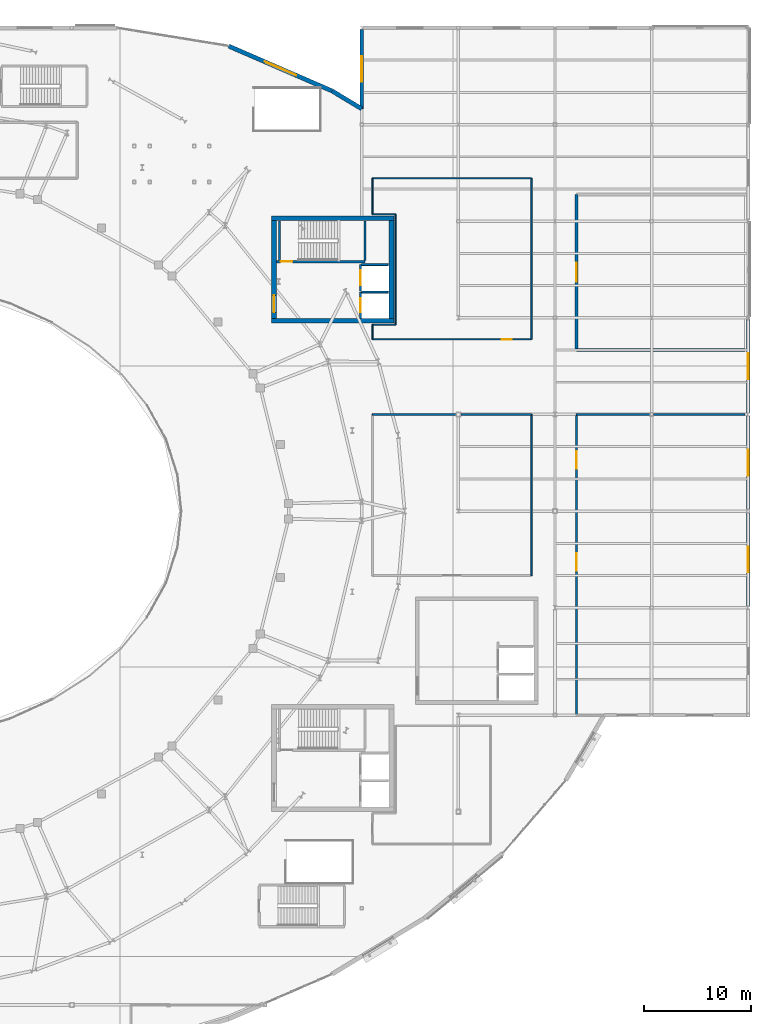
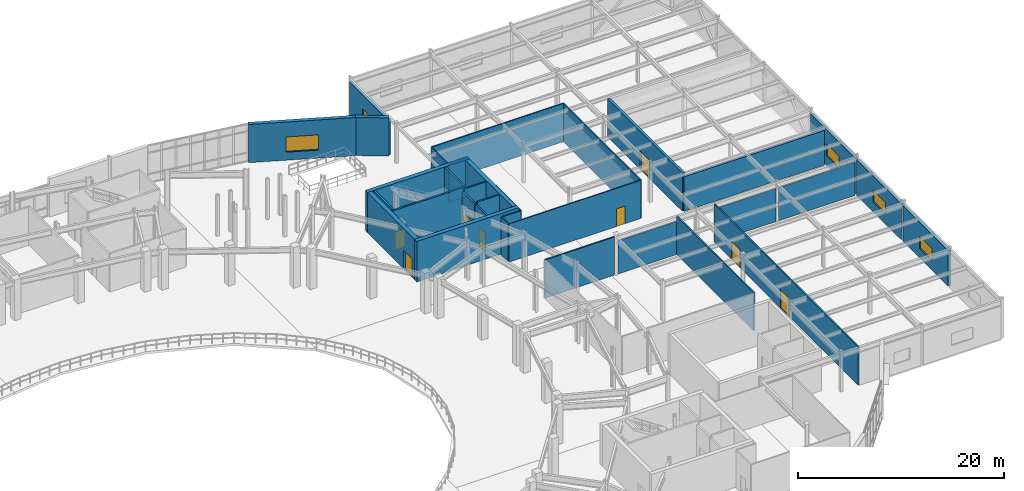
# One storey, part 66 of 86: 33 walls, 8 doors, 5 windows, 13 openings.
"""IFC4 building model written with IfcOpenShell, lengths in metres."""

from ifc_helpers import new_model, si_unit, direction, frame, frame_2d, origin, place, context, subcontext, project, spatial, rectangle, extrude, material, layer, layer_set, type_object, element, fill, save


model = new_model("IFC4")

# Units and contexts
model_context = context("Model", 3, precision=1e-05, world=origin(), true_north=direction((0.0, 1.0)))
body_context = subcontext(model_context, "Body", "Model", "MODEL_VIEW")
ifc_project = project(units=[si_unit("LENGTHUNIT", "METRE"), si_unit("AREAUNIT", "SQUARE_METRE"), si_unit("VOLUMEUNIT", "CUBIC_METRE"), si_unit("PLANEANGLEUNIT", "RADIAN"), si_unit("MASSUNIT", "GRAM", prefix="KILO")], contexts=[model_context])

# Site, building, storey
site_placement = place(None, origin())
site = spatial("IfcSite", under=ifc_project, at=site_placement, CompositionType="ELEMENT")
building_placement = place(site_placement, origin())
building = spatial("IfcBuilding", under=site, at=building_placement, Name="Glasvene Arena", CompositionType="ELEMENT")
storey_placement = place(building_placement, frame((0.0, 0.0, 5.39990234375)))
storey = spatial("IfcBuildingStorey", under=building, at=storey_placement, Name="L01", CompositionType="ELEMENT", Elevation=5.39990234375)

# Walls
ifc_material_1 = material(Name="Concrete C40/50", Category="concrete")
ifc_layer_1 = layer(ifc_material_1, 0.449951171875)
ifc_layer_set_1 = layer_set([ifc_layer_1], Name="Concrete C40/50")
wall_type_1 = type_object("IfcWallType", Name="WL-CORE-450", PredefinedType="SHEAR", material=ifc_layer_set_1)
for number, where, z_axis, x_axis, name in (
    (1, (129.60009765625, 90.72509765625, 0.0), (0.0, 0.0, 1.0), (1.0, 0.0, 0.0), "Core C2 North-East shear wall S L01"),
    (2, (129.60009765625, 100.27490234375, 0.0), (0.0, 0.0, 1.0), (1.0, 0.0, 0.0), "Core C2 North-East shear wall N L01"),
):
    element("IfcWall", number, at=place(storey_placement, frame(where, z_axis=z_axis, x_axis=x_axis)), inside=storey, type_object=wall_type_1, Name=name, PredefinedType="SHEAR", context=body_context, shape_type="SweptSolid", body=[
        extrude(rectangle(XDim=11.39990234375, YDim=0.449951171875, at=frame_2d((5.699951171875, 0.0))), origin(), (0.0, 0.0, 1.0), 4.800048828125),
    ])

# Wall, opening, door
wall_1_placement = place(storey_placement, frame((129.824951171875, 90.949951171875, 0.0), z_axis=(0.0, 0.0, 1.0), x_axis=(0.0, 1.0, 0.0)))
wall_1 = element("IfcWall", 3, at=wall_1_placement, inside=storey, type_object=wall_type_1, Name="Core C2 North-East shear wall W L01", PredefinedType="SHEAR", context=body_context, shape_type="SweptSolid", body=[
    extrude(rectangle(XDim=9.10009765625, YDim=0.449951171875, at=frame_2d((4.550048828125, 0.0))), origin(), (0.0, 0.0, 1.0), 4.800048828125),
])
opening_1_placement = place(wall_1_placement, frame((0.550048828125, 0.0, 0.0)))
opening_1 = element("IfcOpeningElement", 4, at=opening_1_placement, cuts=wall_1, Name="Opening D-02", PredefinedType="OPENING", context=body_context, shape_type="SweptSolid", body=[
    extrude(rectangle(XDim=1.60009765625, YDim=2.199951171875, at=frame_2d((0.800048828125, 1.10009765625))), frame((0.0, 0.23486328125, 0.0), z_axis=(0.0, -1.0, 0.0), x_axis=(1.0, 0.0, 0.0)), (0.0, 0.0, 1.0), 0.469970703125),
])
ifc_material_2 = material(Name="Painted fire-resisting steel", Category="steel")
door_type_1 = type_object("IfcDoorType", Name="DR-FD60-1600", OperationType="DOUBLE_DOOR_SINGLE_SWING", PredefinedType="DOOR", material=ifc_material_2)
door_1_placement = place(opening_1_placement, frame((1.60009765625, 0.0, 0.0), z_axis=(0.0, 0.0, 1.0), x_axis=(-1.0, 0.0, 0.0)))
door_1 = element("IfcDoor", 5, at=door_1_placement, inside=storey, type_object=door_type_1, Name="Core firefighting lobby concourse door C2-L01", OperationType="DOUBLE_DOOR_SINGLE_SWING", OverallHeight=2.199951171875, OverallWidth=1.60009765625, PredefinedType="DOOR", context=body_context, shape_type="SweptSolid", body=[
    extrude(rectangle(XDim=1.60009765625, YDim=2.199951171875, at=frame_2d((0.800048828125, 1.10009765625))), frame((0.0, 0.02490234375, 0.0), z_axis=(0.0, -1.0, 0.0), x_axis=(1.0, 0.0, 0.0)), (0.0, 0.0, 1.0), 0.050048828125),
])
fill(opening_1, door_1)

# Wall
wall_2_placement = place(storey_placement, frame((140.77490234375, 90.949951171875, 0.0), z_axis=(0.0, 0.0, 1.0), x_axis=(0.0, 1.0, 0.0)))
element("IfcWall", 6, at=wall_2_placement, inside=storey, type_object=wall_type_1, Name="Core C2 North-East shear wall E L01", PredefinedType="SHEAR", context=body_context, shape_type="SweptSolid", body=[
    extrude(rectangle(XDim=9.10009765625, YDim=0.449951171875, at=frame_2d((4.550048828125, 0.0))), origin(), (0.0, 0.0, 1.0), 4.800048828125),
])

# Wall, opening, window
ifc_material_3 = material(Name="Coursed pale Irish limestone", Category="masonry")
ifc_layer_2 = layer(ifc_material_3, 0.39990234375)
ifc_layer_set_2 = layer_set([ifc_layer_2], Name="Coursed pale Irish limestone")
wall_type_2 = type_object("IfcWallType", Name="WL-EXT-LIM-400", PredefinedType="STANDARD", material=ifc_layer_set_2)
wall_3_placement = place(storey_placement, frame((125.619140625, 116.3076171875, 0.0), z_axis=(0.0, 0.0, 1.0), x_axis=(0.917436013805, -0.397883350461, 0.0)))
wall_3 = element("IfcWall", 7, at=wall_3_placement, inside=storey, type_object=wall_type_2, Name="External facade wall EW-L01-0077", PredefinedType="STANDARD", context=body_context, shape_type="SweptSolid", body=[
    extrude(rectangle(XDim=10.478515625, YDim=0.39990234375, at=frame_2d((5.2392578125, 0.0))), origin(), (0.0, 0.0, 1.0), 4.52001953125),
])
opening_2_placement = place(wall_3_placement, frame((3.638916015625, 0.0, 0.949951171875)))
opening_2 = element("IfcOpeningElement", 8, at=opening_2_placement, cuts=wall_3, Name="Opening W-03", PredefinedType="OPENING", context=body_context, shape_type="SweptSolid", body=[
    extrude(rectangle(XDim=3.199951171875, YDim=1.800048828125, at=frame_2d((1.60009765625, 0.89990234375))), frame((0.0, 0.2099609375, 0.0), z_axis=(0.0, -1.0, 0.0), x_axis=(1.0, 0.0, 0.0)), (0.0, 0.0, 1.0), 0.419921875),
])
ifc_material_4 = material(Name="Low-emissivity laminated double glazing", Category="glass")
window_type_1 = type_object("IfcWindowType", Name="WN-CONC-320x180", PartitioningType="TRIPLE_PANEL_VERTICAL", PredefinedType="WINDOW", material=ifc_material_4)
window_1_placement = place(opening_2_placement, origin())
window_1 = element("IfcWindow", 9, at=window_1_placement, inside=storey, type_object=window_type_1, Name="Facade window WN-CONC-320x180 L01-0029", OverallHeight=1.800048828125, OverallWidth=3.199951171875, PartitioningType="SINGLE_PANEL", PredefinedType="WINDOW", context=body_context, shape_type="SweptSolid", body=[
    extrude(rectangle(XDim=3.199951171875, YDim=1.800048828125, at=frame_2d((1.60009765625, 0.89990234375))), frame((0.0, 0.030029296875, 0.0), z_axis=(0.0, -1.0, 0.0), x_axis=(1.0, 0.0, 0.0)), (0.0, 0.0, 1.0), 0.06005859375),
])
fill(opening_2, window_1)

# Wall
wall_4_placement = place(storey_placement, frame((135.232421875, 112.138427734375, 0.0), z_axis=(0.0, 0.0, 1.0), x_axis=(0.855809711202, -0.517290767569, 0.0)))
element("IfcWall", 10, at=wall_4_placement, inside=storey, type_object=wall_type_2, Name="External facade wall EW-L01-0078", PredefinedType="STANDARD", context=body_context, shape_type="SweptSolid", body=[
    extrude(rectangle(XDim=3.23388671875, YDim=0.39990234375, at=frame_2d((1.616943359375, 0.0))), origin(), (0.0, 0.0, 1.0), 4.52001953125),
])

# Wall, opening, window
ifc_material_5 = material(Name="Precast concrete C50/60", Category="concrete")
ifc_layer_3 = layer(ifc_material_5, 0.320068359375)
ifc_layer_set_3 = layer_set([ifc_layer_3], Name="Precast concrete C50/60")
wall_type_3 = type_object("IfcWallType", Name="WL-EXT-PRC-320", PredefinedType="STANDARD", material=ifc_layer_set_3)
wall_5_placement = place(storey_placement, frame((138.0, 110.465576171875, 0.0), z_axis=(0.0, 0.0, 1.0), x_axis=(0.0, 1.0, 0.0)))
wall_5 = element("IfcWall", 11, at=wall_5_placement, inside=storey, type_object=wall_type_3, Name="External facade wall EW-L01-0079", PredefinedType="STANDARD", context=body_context, shape_type="SweptSolid", body=[
    extrude(rectangle(XDim=7.40234375, YDim=0.320068359375, at=frame_2d((3.701171875, 0.0))), origin(), (0.0, 0.0, 1.0), 4.215087890625),
])
opening_3_placement = place(wall_5_placement, frame((2.5009765625, 0.0, 1.14990234375)))
opening_3 = element("IfcOpeningElement", 12, at=opening_3_placement, cuts=wall_5, Name="Opening W-18", PredefinedType="OPENING", context=body_context, shape_type="SweptSolid", body=[
    extrude(rectangle(XDim=2.39990234375, YDim=1.39990234375, at=frame_2d((1.199951171875, 0.699951171875))), frame((0.0, 0.169921875, 0.0), z_axis=(0.0, -1.0, 0.0), x_axis=(1.0, 0.0, 0.0)), (0.0, 0.0, 1.0), 0.340087890625),
])
window_type_2 = type_object("IfcWindowType", Name="WN-LOUV-240x140", PartitioningType="DOUBLE_PANEL_HORIZONTAL", PredefinedType="WINDOW", material=ifc_material_4)
window_2_placement = place(opening_3_placement, origin())
window_2 = element("IfcWindow", 13, at=window_2_placement, inside=storey, type_object=window_type_2, Name="Facade window WN-LOUV-240x140 L01-0030", OverallHeight=1.39990234375, OverallWidth=2.39990234375, PartitioningType="SINGLE_PANEL", PredefinedType="WINDOW", context=body_context, shape_type="SweptSolid", body=[
    extrude(rectangle(XDim=2.39990234375, YDim=1.39990234375, at=frame_2d((1.199951171875, 0.699951171875))), frame((0.0, 0.030029296875, 0.0), z_axis=(0.0, -1.0, 0.0), x_axis=(1.0, 0.0, 0.0)), (0.0, 0.0, 1.0), 0.06005859375),
])
fill(opening_3, window_2)

wall_6_placement = place(storey_placement, frame((174.0, 90.847900390625, 0.0), z_axis=(0.0, 0.0, 1.0), x_axis=(0.0, -1.0, 0.0)))
wall_6 = element("IfcWall", 14, at=wall_6_placement, inside=storey, type_object=wall_type_3, Name="External facade wall EW-L01-0084", PredefinedType="STANDARD", context=body_context, shape_type="SweptSolid", body=[
    extrude(rectangle(XDim=8.7158203125, YDim=0.320068359375, at=frame_2d((4.35791015625, 0.0))), origin(), (0.0, 0.0, 1.0), 4.215087890625),
])
opening_4_placement = place(wall_6_placement, frame((3.157958984375, 0.0, 1.14990234375)))
opening_4 = element("IfcOpeningElement", 15, at=opening_4_placement, cuts=wall_6, Name="Opening W-18", PredefinedType="OPENING", context=body_context, shape_type="SweptSolid", body=[
    extrude(rectangle(XDim=2.39990234375, YDim=1.39990234375, at=frame_2d((1.199951171875, 0.699951171875))), frame((0.0, 0.169921875, 0.0), z_axis=(0.0, -1.0, 0.0), x_axis=(1.0, 0.0, 0.0)), (0.0, 0.0, 1.0), 0.340087890625),
])
window_3_placement = place(opening_4_placement, origin())
window_3 = element("IfcWindow", 16, at=window_3_placement, inside=storey, type_object=window_type_2, Name="Facade window WN-LOUV-240x140 L01-0035", OverallHeight=1.39990234375, OverallWidth=2.39990234375, PartitioningType="SINGLE_PANEL", PredefinedType="WINDOW", context=body_context, shape_type="SweptSolid", body=[
    extrude(rectangle(XDim=2.39990234375, YDim=1.39990234375, at=frame_2d((1.199951171875, 0.699951171875))), frame((0.0, 0.030029296875, 0.0), z_axis=(0.0, -1.0, 0.0), x_axis=(1.0, 0.0, 0.0)), (0.0, 0.0, 1.0), 0.06005859375),
])
fill(opening_4, window_3)

wall_7_placement = place(storey_placement, frame((174.0, 81.867919921875, 0.0), z_axis=(0.0, 0.0, 1.0), x_axis=(0.0, -1.0, 0.0)))
wall_7 = element("IfcWall", 17, at=wall_7_placement, inside=storey, type_object=wall_type_3, Name="External facade wall EW-L01-0085", PredefinedType="STANDARD", context=body_context, shape_type="SweptSolid", body=[
    extrude(rectangle(XDim=8.7158203125, YDim=0.320068359375, at=frame_2d((4.35791015625, 0.0))), origin(), (0.0, 0.0, 1.0), 4.215087890625),
])
opening_5_placement = place(wall_7_placement, frame((3.157958984375, 0.0, 1.14990234375)))
opening_5 = element("IfcOpeningElement", 18, at=opening_5_placement, cuts=wall_7, Name="Opening W-18", PredefinedType="OPENING", context=body_context, shape_type="SweptSolid", body=[
    extrude(rectangle(XDim=2.39990234375, YDim=1.39990234375, at=frame_2d((1.199951171875, 0.699951171875))), frame((0.0, 0.169921875, 0.0), z_axis=(0.0, -1.0, 0.0), x_axis=(1.0, 0.0, 0.0)), (0.0, 0.0, 1.0), 0.340087890625),
])
window_4_placement = place(opening_5_placement, origin())
window_4 = element("IfcWindow", 19, at=window_4_placement, inside=storey, type_object=window_type_2, Name="Facade window WN-LOUV-240x140 L01-0036", OverallHeight=1.39990234375, OverallWidth=2.39990234375, PartitioningType="SINGLE_PANEL", PredefinedType="WINDOW", context=body_context, shape_type="SweptSolid", body=[
    extrude(rectangle(XDim=2.39990234375, YDim=1.39990234375, at=frame_2d((1.199951171875, 0.699951171875))), frame((0.0, 0.030029296875, 0.0), z_axis=(0.0, -1.0, 0.0), x_axis=(1.0, 0.0, 0.0)), (0.0, 0.0, 1.0), 0.06005859375),
])
fill(opening_5, window_4)

wall_8_placement = place(storey_placement, frame((174.0, 72.847900390625, 0.0), z_axis=(0.0, 0.0, 1.0), x_axis=(0.0, -1.0, 0.0)))
wall_8 = element("IfcWall", 20, at=wall_8_placement, inside=storey, type_object=wall_type_3, Name="External facade wall EW-L01-0086", PredefinedType="STANDARD", context=body_context, shape_type="SweptSolid", body=[
    extrude(rectangle(XDim=8.7158203125, YDim=0.320068359375, at=frame_2d((4.35791015625, 0.0))), origin(), (0.0, 0.0, 1.0), 4.215087890625),
])
opening_6_placement = place(wall_8_placement, frame((3.157958984375, 0.0, 1.14990234375)))
opening_6 = element("IfcOpeningElement", 21, at=opening_6_placement, cuts=wall_8, Name="Opening W-18", PredefinedType="OPENING", context=body_context, shape_type="SweptSolid", body=[
    extrude(rectangle(XDim=2.39990234375, YDim=1.39990234375, at=frame_2d((1.199951171875, 0.699951171875))), frame((0.0, 0.169921875, 0.0), z_axis=(0.0, -1.0, 0.0), x_axis=(1.0, 0.0, 0.0)), (0.0, 0.0, 1.0), 0.340087890625),
])
window_5_placement = place(opening_6_placement, origin())
window_5 = element("IfcWindow", 22, at=window_5_placement, inside=storey, type_object=window_type_2, Name="Facade window WN-LOUV-240x140 L01-0037", OverallHeight=1.39990234375, OverallWidth=2.39990234375, PartitioningType="SINGLE_PANEL", PredefinedType="WINDOW", context=body_context, shape_type="SweptSolid", body=[
    extrude(rectangle(XDim=2.39990234375, YDim=1.39990234375, at=frame_2d((1.199951171875, 0.699951171875))), frame((0.0, 0.030029296875, 0.0), z_axis=(0.0, -1.0, 0.0), x_axis=(1.0, 0.0, 0.0)), (0.0, 0.0, 1.0), 0.06005859375),
])
fill(opening_6, window_5)

# Walls
ifc_material_6 = material(Name="Lightweight gypsum metal-stud partition")
ifc_layer_4 = layer(ifc_material_6, 0.1201171875)
ifc_layer_set_4 = layer_set([ifc_layer_4], Name="Lightweight gypsum metal-stud partition")
wall_type_4 = type_object("IfcWallType", Name="WL-PART-120", PredefinedType="PARTITIONING", material=ifc_layer_set_4)
wall_9_placement = place(storey_placement, frame((139.0, 100.64990234375, 0.0), z_axis=(0.0, 0.0, 1.0), x_axis=(0.0, 1.0, 0.0)))
element("IfcWall", 23, at=wall_9_placement, inside=storey, type_object=wall_type_4, Name="Interior partition wall IW-L01-0187 (Touring Production Offices)", PredefinedType="PARTITIONING", context=body_context, shape_type="SweptSolid", body=[
    extrude(rectangle(XDim=3.35009765625, YDim=0.1201171875, at=frame_2d((1.675048828125, 0.0))), origin(), (0.0, 0.0, 1.0), 4.52001953125),
])
wall_10_placement = place(storey_placement, frame((139.0, 104.0, 0.0), z_axis=(0.0, 0.0, 1.0), x_axis=(1.0, 0.0, 0.0)))
element("IfcWall", 24, at=wall_10_placement, inside=storey, type_object=wall_type_4, Name="Interior partition wall IW-L01-0188 (Touring Production Offices)", PredefinedType="PARTITIONING", context=body_context, shape_type="SweptSolid", body=[
    extrude(rectangle(XDim=14.800048828125, YDim=0.1201171875, at=frame_2d((7.39990234375, 0.0))), origin(), (0.0, 0.0, 1.0), 4.52001953125),
])
wall_11_placement = place(storey_placement, frame((153.800048828125, 104.0, 0.0), z_axis=(0.0, 0.0, 1.0), x_axis=(0.0, -1.0, 0.0)))
element("IfcWall", 25, at=wall_11_placement, inside=storey, type_object=wall_type_4, Name="Interior partition wall IW-L01-0189 (Touring Production Offices)", PredefinedType="PARTITIONING", context=body_context, shape_type="SweptSolid", body=[
    extrude(rectangle(XDim=15.0, YDim=0.1201171875, at=frame_2d((7.5, 0.0))), origin(), (0.0, 0.0, 1.0), 4.52001953125),
])

# Wall, opening, door
wall_12_placement = place(storey_placement, frame((153.800048828125, 89.0, 0.0), z_axis=(0.0, 0.0, 1.0), x_axis=(-1.0, 0.0, 0.0)))
wall_12 = element("IfcWall", 26, at=wall_12_placement, inside=storey, type_object=wall_type_4, Name="Interior partition wall IW-L01-0190 (Touring Production Offices)", PredefinedType="PARTITIONING", context=body_context, shape_type="SweptSolid", body=[
    extrude(rectangle(XDim=14.800048828125, YDim=0.1201171875, at=frame_2d((7.39990234375, 0.0))), origin(), (0.0, 0.0, 1.0), 4.52001953125),
])
opening_7_placement = place(wall_12_placement, frame((1.81005859375, 0.0, 0.0)))
opening_7 = element("IfcOpeningElement", 27, at=opening_7_placement, cuts=wall_12, Name="Opening D-07", PredefinedType="OPENING", context=body_context, shape_type="SweptSolid", body=[
    extrude(rectangle(XDim=0.949951171875, YDim=2.10009765625, at=frame_2d((0.47509765625, 1.050048828125))), frame((0.0, 0.070068359375, 0.0), z_axis=(0.0, -1.0, 0.0), x_axis=(1.0, 0.0, 0.0)), (0.0, 0.0, 1.0), 0.14013671875),
])
ifc_material_7 = material(Name="European oak fire-resisting timber", Category="wood")
door_type_2 = type_object("IfcDoorType", Name="DR-FD30-950", OperationType="NOTDEFINED", PredefinedType="DOOR", material=ifc_material_7)
door_2_placement = place(opening_7_placement, origin())
door_2 = element("IfcDoor", 28, at=door_2_placement, inside=storey, type_object=door_type_2, Name="Interior door DR-FD30-950 (Touring Production Offices)", OperationType="SINGLE_SWING_LEFT", OverallHeight=2.10009765625, OverallWidth=0.949951171875, PredefinedType="DOOR", context=body_context, shape_type="SweptSolid", body=[
    extrude(rectangle(XDim=0.949951171875, YDim=2.10009765625, at=frame_2d((0.47509765625, 1.050048828125))), frame((0.0, 0.02490234375, 0.0), z_axis=(0.0, -1.0, 0.0), x_axis=(1.0, 0.0, 0.0)), (0.0, 0.0, 1.0), 0.050048828125),
])
fill(opening_7, door_2)

# Walls
wall_13_placement = place(storey_placement, frame((139.0, 89.0, 0.0), z_axis=(0.0, 0.0, 1.0), x_axis=(0.0, 1.0, 0.0)))
element("IfcWall", 29, at=wall_13_placement, inside=storey, type_object=wall_type_4, Name="Interior partition wall IW-L01-0191 (Touring Production Offices)", PredefinedType="PARTITIONING", context=body_context, shape_type="SweptSolid", body=[
    extrude(rectangle(XDim=1.35009765625, YDim=0.1201171875, at=frame_2d((0.675048828125, 0.0))), origin(), (0.0, 0.0, 1.0), 4.52001953125),
])
wall_14_placement = place(storey_placement, frame((139.0, 90.35009765625, 0.0), z_axis=(0.0, 0.0, 1.0), x_axis=(1.0, 0.0, 0.0)))
element("IfcWall", 30, at=wall_14_placement, inside=storey, type_object=wall_type_4, Name="Interior partition wall IW-L01-0192 (Touring Production Offices)", PredefinedType="PARTITIONING", context=body_context, shape_type="SweptSolid", body=[
    extrude(rectangle(XDim=2.14990234375, YDim=0.1201171875, at=frame_2d((1.074951171875, 0.0))), origin(), (0.0, 0.0, 1.0), 4.52001953125),
])
wall_15_placement = place(storey_placement, frame((141.14990234375, 90.35009765625, 0.0), z_axis=(0.0, 0.0, 1.0), x_axis=(0.0, 1.0, 0.0)))
element("IfcWall", 31, at=wall_15_placement, inside=storey, type_object=wall_type_4, Name="Interior partition wall IW-L01-0193 (Touring Production Offices)", PredefinedType="PARTITIONING", context=body_context, shape_type="SweptSolid", body=[
    extrude(rectangle(XDim=10.2998046875, YDim=0.1201171875, at=frame_2d((5.14990234375, 0.0))), origin(), (0.0, 0.0, 1.0), 4.52001953125),
])
wall_16_placement = place(storey_placement, frame((141.14990234375, 100.64990234375, 0.0), z_axis=(0.0, 0.0, 1.0), x_axis=(-1.0, 0.0, 0.0)))
element("IfcWall", 32, at=wall_16_placement, inside=storey, type_object=wall_type_4, Name="Interior partition wall IW-L01-0194 (Touring Production Offices)", PredefinedType="PARTITIONING", context=body_context, shape_type="SweptSolid", body=[
    extrude(rectangle(XDim=2.14990234375, YDim=0.1201171875, at=frame_2d((1.074951171875, 0.0))), origin(), (0.0, 0.0, 1.0), 4.52001953125),
])
ifc_material_8 = material(Name="Insulated acoustic metal-stud partition")
ifc_layer_5 = layer(ifc_material_8, 0.14990234375)
ifc_layer_set_5 = layer_set([ifc_layer_5], Name="Insulated acoustic metal-stud partition")
wall_type_5 = type_object("IfcWallType", Name="WL-PART-150", PredefinedType="PARTITIONING", material=ifc_layer_set_5)
wall_17_placement = place(storey_placement, frame((139.0, 82.0, 0.0), z_axis=(0.0, 0.0, 1.0), x_axis=(1.0, 0.0, 0.0)))
element("IfcWall", 33, at=wall_17_placement, inside=storey, type_object=wall_type_5, Name="Interior partition wall IW-L01-0182 (Event Catering Central Kitchen)", PredefinedType="PARTITIONING", context=body_context, shape_type="SweptSolid", body=[
    extrude(rectangle(XDim=7.767578125, YDim=0.14990234375, at=frame_2d((3.8837890625, 0.0))), origin(), (0.0, 0.0, 1.0), 4.52001953125),
])
wall_18_placement = place(storey_placement, frame((147.232421875, 82.0, 0.0), z_axis=(0.0, 0.0, 1.0), x_axis=(1.0, 0.0, 0.0)))
element("IfcWall", 34, at=wall_18_placement, inside=storey, type_object=wall_type_5, Name="Interior partition wall IW-L01-0183 (Event Catering Central Kitchen)", PredefinedType="PARTITIONING", context=body_context, shape_type="SweptSolid", body=[
    extrude(rectangle(XDim=6.567626953125, YDim=0.14990234375, at=frame_2d((3.28369140625, 0.0))), origin(), (0.0, 0.0, 1.0), 3.907470703125),
])
wall_19_placement = place(storey_placement, frame((153.800048828125, 82.0, 0.0), z_axis=(0.0, 0.0, 1.0), x_axis=(0.0, -1.0, 0.0)))
element("IfcWall", 35, at=wall_19_placement, inside=storey, type_object=wall_type_5, Name="Interior partition wall IW-L01-0184 (Event Catering Central Kitchen)", PredefinedType="PARTITIONING", context=body_context, shape_type="SweptSolid", body=[
    extrude(rectangle(XDim=15.0, YDim=0.14990234375, at=frame_2d((7.5, 0.0))), origin(), (0.0, 0.0, 1.0), 4.52001953125),
])

# Wall, openings, doors
wall_20_placement = place(storey_placement, frame((158.0, 54.0, 0.0), z_axis=(0.0, 0.0, 1.0), x_axis=(0.0, 1.0, 0.0)))
wall_20 = element("IfcWall", 36, at=wall_20_placement, inside=storey, type_object=wall_type_5, Name="Interior partition wall IW-L01-0196 (Lighting and Audio Rigging Store)", PredefinedType="PARTITIONING", context=body_context, shape_type="SweptSolid", body=[
    extrude(rectangle(XDim=28.0, YDim=0.14990234375, at=frame_2d((14.0, 0.0))), origin(), (0.0, 0.0, 1.0), 4.52001953125),
])
opening_8_placement = place(wall_20_placement, frame((22.949951171875, 0.0, 0.0)))
opening_8 = element("IfcOpeningElement", 37, at=opening_8_placement, cuts=wall_20, Name="Opening D-02", PredefinedType="OPENING", context=body_context, shape_type="SweptSolid", body=[
    extrude(rectangle(XDim=1.60009765625, YDim=2.199951171875, at=frame_2d((0.800048828125, 1.10009765625))), frame((0.0, 0.0849609375, 0.0), z_axis=(0.0, -1.0, 0.0), x_axis=(1.0, 0.0, 0.0)), (0.0, 0.0, 1.0), 0.169921875),
])
opening_9_placement = place(wall_20_placement, frame((13.449951171875, 0.0, 0.0)))
opening_9 = element("IfcOpeningElement", 38, at=opening_9_placement, cuts=wall_20, Name="Opening D-02", PredefinedType="OPENING", context=body_context, shape_type="SweptSolid", body=[
    extrude(rectangle(XDim=1.60009765625, YDim=2.199951171875, at=frame_2d((0.800048828125, 1.10009765625))), frame((0.0, 0.0849609375, 0.0), z_axis=(0.0, -1.0, 0.0), x_axis=(1.0, 0.0, 0.0)), (0.0, 0.0, 1.0), 0.169921875),
])
door_3_placement = place(opening_8_placement, origin())
door_3 = element("IfcDoor", 39, at=door_3_placement, inside=storey, type_object=door_type_1, Name="Interior door DR-FD60-1600 (Lighting and Audio Rigging Store)", OperationType="DOUBLE_DOOR_SINGLE_SWING", OverallHeight=2.199951171875, OverallWidth=1.60009765625, PredefinedType="DOOR", context=body_context, shape_type="SweptSolid", body=[
    extrude(rectangle(XDim=1.60009765625, YDim=2.199951171875, at=frame_2d((0.800048828125, 1.10009765625))), frame((0.0, 0.02490234375, 0.0), z_axis=(0.0, -1.0, 0.0), x_axis=(1.0, 0.0, 0.0)), (0.0, 0.0, 1.0), 0.050048828125),
])
fill(opening_8, door_3)
door_4_placement = place(opening_9_placement, origin())
door_4 = element("IfcDoor", 40, at=door_4_placement, inside=storey, type_object=door_type_1, Name="Interior door DR-FD60-1600 (Lighting and Audio Rigging Store)", OperationType="DOUBLE_DOOR_SINGLE_SWING", OverallHeight=2.199951171875, OverallWidth=1.60009765625, PredefinedType="DOOR", context=body_context, shape_type="SweptSolid", body=[
    extrude(rectangle(XDim=1.60009765625, YDim=2.199951171875, at=frame_2d((0.800048828125, 1.10009765625))), frame((0.0, 0.02490234375, 0.0), z_axis=(0.0, -1.0, 0.0), x_axis=(1.0, 0.0, 0.0)), (0.0, 0.0, 1.0), 0.050048828125),
])
fill(opening_9, door_4)

# Walls
wall_21_placement = place(storey_placement, frame((158.0, 82.0, 0.0), z_axis=(0.0, 0.0, 1.0), x_axis=(1.0, 0.0, 0.0)))
element("IfcWall", 41, at=wall_21_placement, inside=storey, type_object=wall_type_5, Name="Interior partition wall IW-L01-0197 (Lighting and Audio Rigging Store)", PredefinedType="PARTITIONING", context=body_context, shape_type="SweptSolid", body=[
    extrude(rectangle(XDim=6.845947265625, YDim=0.14990234375, at=frame_2d((3.4228515625, 0.0))), origin(), (0.0, 0.0, 1.0), 3.907470703125),
])
wall_22_placement = place(storey_placement, frame((165.154052734375, 82.0, 0.0), z_axis=(0.0, 0.0, 1.0), x_axis=(1.0, 0.0, 0.0)))
element("IfcWall", 42, at=wall_22_placement, inside=storey, type_object=wall_type_5, Name="Interior partition wall IW-L01-0198 (Lighting and Audio Rigging Store)", PredefinedType="PARTITIONING", context=body_context, shape_type="SweptSolid", body=[
    extrude(rectangle(XDim=8.52587890625, YDim=0.14990234375, at=frame_2d((4.262939453125, 0.0))), origin(), (0.0, 0.0, 1.0), 3.907470703125),
])

# Wall, opening, door
ifc_layer_6 = layer(ifc_material_1, 0.199951171875)
ifc_layer_set_6 = layer_set([ifc_layer_6], Name="Concrete C40/50")
wall_type_6 = type_object("IfcWallType", Name="WL-SHAFT-200", PredefinedType="SHEAR", material=ifc_layer_set_6)
wall_23_placement = place(storey_placement, frame((137.89990234375, 90.949951171875, 0.0), z_axis=(0.0, 0.0, 1.0), x_axis=(0.0, 1.0, 0.0)))
wall_23 = element("IfcWall", 43, at=wall_23_placement, inside=storey, type_object=wall_type_6, Name="Lift shaft front wall FFL-02 L01", PredefinedType="SHEAR", context=body_context, shape_type="SweptSolid", body=[
    extrude(rectangle(XDim=2.449951171875, YDim=0.199951171875, at=frame_2d((1.22509765625, 0.0))), origin(), (0.0, 0.0, 1.0), 4.52001953125),
])
opening_10_placement = place(wall_23_placement, frame((0.574951171875, 0.0, 0.0)))
opening_10 = element("IfcOpeningElement", 44, at=opening_10_placement, cuts=wall_23, Name="Opening LD-FF", PredefinedType="OPENING", context=body_context, shape_type="SweptSolid", body=[
    extrude(rectangle(XDim=1.300048828125, YDim=2.199951171875, at=frame_2d((0.64990234375, 1.10009765625))), frame((0.0, 0.10986328125, 0.0), z_axis=(0.0, -1.0, 0.0), x_axis=(1.0, 0.0, 0.0)), (0.0, 0.0, 1.0), 0.219970703125),
])
ifc_material_9 = material(Name="Brushed stainless steel", Category="steel")
door_type_3 = type_object("IfcDoorType", Name="LD-FFL-1300", OperationType="DOUBLE_DOOR_SLIDING", PredefinedType="DOOR", material=ifc_material_9)
door_5_placement = place(opening_10_placement, origin())
door_5 = element("IfcDoor", 45, at=door_5_placement, inside=storey, type_object=door_type_3, Name="Lift sliding landing door LD-FFL-02-L01", OperationType="DOUBLE_DOOR_SLIDING", OverallHeight=2.199951171875, OverallWidth=1.300048828125, PredefinedType="DOOR", context=body_context, shape_type="SweptSolid", body=[
    extrude(rectangle(XDim=1.300048828125, YDim=2.199951171875, at=frame_2d((0.64990234375, 1.10009765625))), frame((0.0, 0.02490234375, 0.0), z_axis=(0.0, -1.0, 0.0), x_axis=(1.0, 0.0, 0.0)), (0.0, 0.0, 1.0), 0.050048828125),
])
fill(opening_10, door_5)

wall_24_placement = place(storey_placement, frame((137.89990234375, 93.5, 0.0), z_axis=(0.0, 0.0, 1.0), x_axis=(0.0, 1.0, 0.0)))
wall_24 = element("IfcWall", 46, at=wall_24_placement, inside=storey, type_object=wall_type_6, Name="Lift shaft front wall PL-02 L01", PredefinedType="SHEAR", context=body_context, shape_type="SweptSolid", body=[
    extrude(rectangle(XDim=2.449951171875, YDim=0.199951171875, at=frame_2d((1.22509765625, 0.0))), origin(), (0.0, 0.0, 1.0), 4.52001953125),
])
opening_11_placement = place(wall_24_placement, frame((0.52490234375, 0.0, 0.0)))
opening_11 = element("IfcOpeningElement", 47, at=opening_11_placement, cuts=wall_24, Name="Opening LD-PL", PredefinedType="OPENING", context=body_context, shape_type="SweptSolid", body=[
    extrude(rectangle(XDim=1.39990234375, YDim=2.199951171875, at=frame_2d((0.699951171875, 1.10009765625))), frame((0.0, 0.10986328125, 0.0), z_axis=(0.0, -1.0, 0.0), x_axis=(1.0, 0.0, 0.0)), (0.0, 0.0, 1.0), 0.219970703125),
])
door_type_4 = type_object("IfcDoorType", Name="LD-PL-1400", OperationType="DOUBLE_DOOR_SLIDING", PredefinedType="DOOR", material=ifc_material_9)
door_6_placement = place(opening_11_placement, origin())
door_6 = element("IfcDoor", 48, at=door_6_placement, inside=storey, type_object=door_type_4, Name="Lift sliding landing door LD-PL-02-L01", OperationType="DOUBLE_DOOR_SLIDING", OverallHeight=2.199951171875, OverallWidth=1.39990234375, PredefinedType="DOOR", context=body_context, shape_type="SweptSolid", body=[
    extrude(rectangle(XDim=1.39990234375, YDim=2.199951171875, at=frame_2d((0.699951171875, 1.10009765625))), frame((0.0, 0.02490234375, 0.0), z_axis=(0.0, -1.0, 0.0), x_axis=(1.0, 0.0, 0.0)), (0.0, 0.0, 1.0), 0.050048828125),
])
fill(opening_11, door_6)

wall_25_placement = place(storey_placement, frame((130.052001953125, 96.22998046875, 0.0), z_axis=(0.0, 0.0, 1.0), x_axis=(1.0, 0.0, 0.0)))
wall_25 = element("IfcWall", 49, at=wall_25_placement, inside=storey, type_object=wall_type_6, Name="Escape stair shaft wall ST-02 L01 S", PredefinedType="SHEAR", context=body_context, shape_type="SweptSolid", body=[
    extrude(rectangle(XDim=8.248046875, YDim=0.199951171875, at=frame_2d((4.1240234375, 0.0))), origin(), (0.0, 0.0, 1.0), 4.800048828125),
])
opening_12_placement = place(wall_25_placement, frame((0.39990234375, 0.0, 0.0)))
opening_12 = element("IfcOpeningElement", 50, at=opening_12_placement, cuts=wall_25, Name="Opening D-04", PredefinedType="OPENING", context=body_context, shape_type="SweptSolid", body=[
    extrude(rectangle(XDim=1.10009765625, YDim=2.14990234375, at=frame_2d((0.550048828125, 1.074951171875))), frame((0.0, 0.10986328125, 0.0), z_axis=(0.0, -1.0, 0.0), x_axis=(1.0, 0.0, 0.0)), (0.0, 0.0, 1.0), 0.219970703125),
])
door_type_5 = type_object("IfcDoorType", Name="DR-FD60-1100", OperationType="NOTDEFINED", PredefinedType="DOOR", material=ifc_material_2)
door_7_placement = place(opening_12_placement, frame((1.10009765625, 0.0, 0.0), z_axis=(0.0, 0.0, 1.0), x_axis=(-1.0, 0.0, 0.0)))
door_7 = element("IfcDoor", 51, at=door_7_placement, inside=storey, type_object=door_type_5, Name="Protected escape stair door ST-02 L01", OperationType="SINGLE_SWING_LEFT", OverallHeight=2.14990234375, OverallWidth=1.10009765625, PredefinedType="DOOR", context=body_context, shape_type="SweptSolid", body=[
    extrude(rectangle(XDim=1.10009765625, YDim=2.14990234375, at=frame_2d((0.550048828125, 1.074951171875))), frame((0.0, 0.02490234375, 0.0), z_axis=(0.0, -1.0, 0.0), x_axis=(1.0, 0.0, 0.0)), (0.0, 0.0, 1.0), 0.050048828125),
])
fill(opening_12, door_7)

# Walls
for number, where, z_axis, x_axis, name in (
    (52, (130.35009765625, 96.33203125, 0.0), (0.0, 0.0, 1.0), (0.0, 1.0, 0.0), "Escape stair shaft wall ST-02 L01 W"),
    (53, (138.300048828125, 96.33203125, 0.0), (0.0, 0.0, 1.0), (0.0, 1.0, 0.0), "Escape stair shaft wall ST-02 L01 E"),
):
    element("IfcWall", number, at=place(storey_placement, frame(where, z_axis=z_axis, x_axis=x_axis)), inside=storey, type_object=wall_type_6, Name=name, PredefinedType="SHEAR", context=body_context, shape_type="SweptSolid", body=[
        extrude(rectangle(XDim=3.68603515625, YDim=0.199951171875, at=frame_2d((1.843017578125, 0.0))), origin(), (0.0, 0.0, 1.0), 4.800048828125),
    ])

# Wall, opening, door
ifc_material_10 = material(Name="Twin-frame acoustic gypsum partition")
ifc_layer_7 = layer(ifc_material_10, 0.280029296875)
ifc_layer_set_7 = layer_set([ifc_layer_7], Name="Twin-frame acoustic gypsum partition")
wall_type_7 = type_object("IfcWallType", Name="WL-STUDIO-280", PredefinedType="PARTITIONING", material=ifc_layer_set_7)
wall_26_placement = place(storey_placement, frame((158.0, 102.5, 0.0), z_axis=(0.0, 0.0, 1.0), x_axis=(0.0, -1.0, 0.0)))
wall_26 = element("IfcWall", 54, at=wall_26_placement, inside=storey, type_object=wall_type_7, Name="Interior partition wall IW-L01-0200 (Broadcast Cabling Patch Room)", PredefinedType="PARTITIONING", context=body_context, shape_type="SweptSolid", body=[
    extrude(rectangle(XDim=14.5, YDim=0.280029296875, at=frame_2d((7.25, 0.0))), origin(), (0.0, 0.0, 1.0), 4.52001953125),
])
opening_13_placement = place(wall_26_placement, frame((6.35009765625, 0.0, 0.0)))
opening_13 = element("IfcOpeningElement", 55, at=opening_13_placement, cuts=wall_26, Name="Opening D-01", PredefinedType="OPENING", context=body_context, shape_type="SweptSolid", body=[
    extrude(rectangle(XDim=1.800048828125, YDim=2.199951171875, at=frame_2d((0.89990234375, 1.10009765625))), frame((0.0, 0.14990234375, 0.0), z_axis=(0.0, -1.0, 0.0), x_axis=(1.0, 0.0, 0.0)), (0.0, 0.0, 1.0), 0.300048828125),
])
door_type_6 = type_object("IfcDoorType", Name="DR-FD60-1800", OperationType="DOUBLE_DOOR_SINGLE_SWING", PredefinedType="DOOR", material=ifc_material_2)
door_8_placement = place(opening_13_placement, origin())
door_8 = element("IfcDoor", 56, at=door_8_placement, inside=storey, type_object=door_type_6, Name="Interior door DR-FD60-1800 (Broadcast Cabling Patch Room)", OperationType="DOUBLE_DOOR_SINGLE_SWING", OverallHeight=2.199951171875, OverallWidth=1.800048828125, PredefinedType="DOOR", context=body_context, shape_type="SweptSolid", body=[
    extrude(rectangle(XDim=1.800048828125, YDim=2.199951171875, at=frame_2d((0.89990234375, 1.10009765625))), frame((0.0, 0.02490234375, 0.0), z_axis=(0.0, -1.0, 0.0), x_axis=(1.0, 0.0, 0.0)), (0.0, 0.0, 1.0), 0.050048828125),
])
fill(opening_13, door_8)

# Walls
wall_27_placement = place(storey_placement, frame((158.0, 88.0, 0.0), z_axis=(0.0, 0.0, 1.0), x_axis=(1.0, 0.0, 0.0)))
element("IfcWall", 57, at=wall_27_placement, inside=storey, type_object=wall_type_7, Name="Interior partition wall IW-L01-0201 (Broadcast Cabling Patch Room)", PredefinedType="PARTITIONING", context=body_context, shape_type="SweptSolid", body=[
    extrude(rectangle(XDim=15.679931640625, YDim=0.280029296875, at=frame_2d((7.83984375, 0.0))), origin(), (0.0, 0.0, 1.0), 4.108642578125),
])
ifc_material_11 = material(Name="Moisture-resistant masonry blockwork", Category="masonry")
ifc_layer_8 = layer(ifc_material_11, 0.179931640625)
ifc_layer_set_8 = layer_set([ifc_layer_8], Name="Moisture-resistant masonry blockwork")
wall_type_8 = type_object("IfcWallType", Name="WL-WET-180", PredefinedType="PARTITIONING", material=ifc_layer_set_8)
for number, where, z_axis, x_axis, name in (
    (58, (138.0, 93.39990234375, 0.0), (0.0, 0.0, 1.0), (1.0, 0.0, 0.0), "Lift shaft divider wall C2 L01"),
    (59, (138.0, 95.949951171875, 0.0), (0.0, 0.0, 1.0), (1.0, 0.0, 0.0), "Lift shaft north enclosure wall C2 L01"),
):
    element("IfcWall", number, at=place(storey_placement, frame(where, z_axis=z_axis, x_axis=x_axis)), inside=storey, type_object=wall_type_8, Name=name, PredefinedType="PARTITIONING", context=body_context, shape_type="SweptSolid", body=[
        extrude(rectangle(XDim=2.449951171875, YDim=0.179931640625, at=frame_2d((1.22509765625, 0.0))), origin(), (0.0, 0.0, 1.0), 4.800048828125),
    ])

save(model, "model.ifc")
